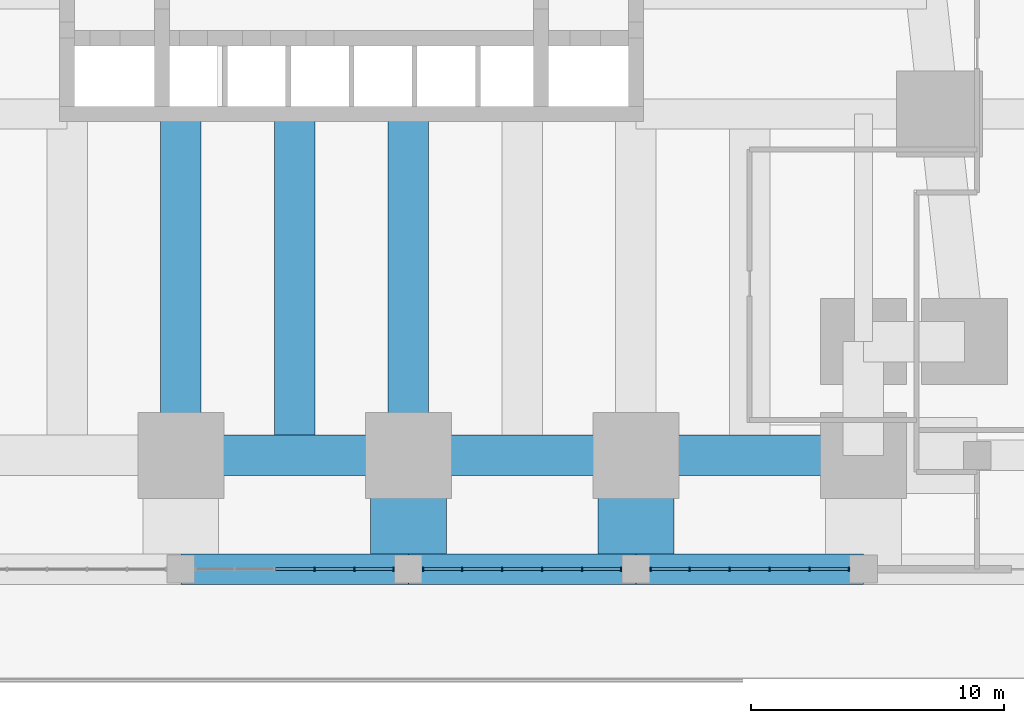
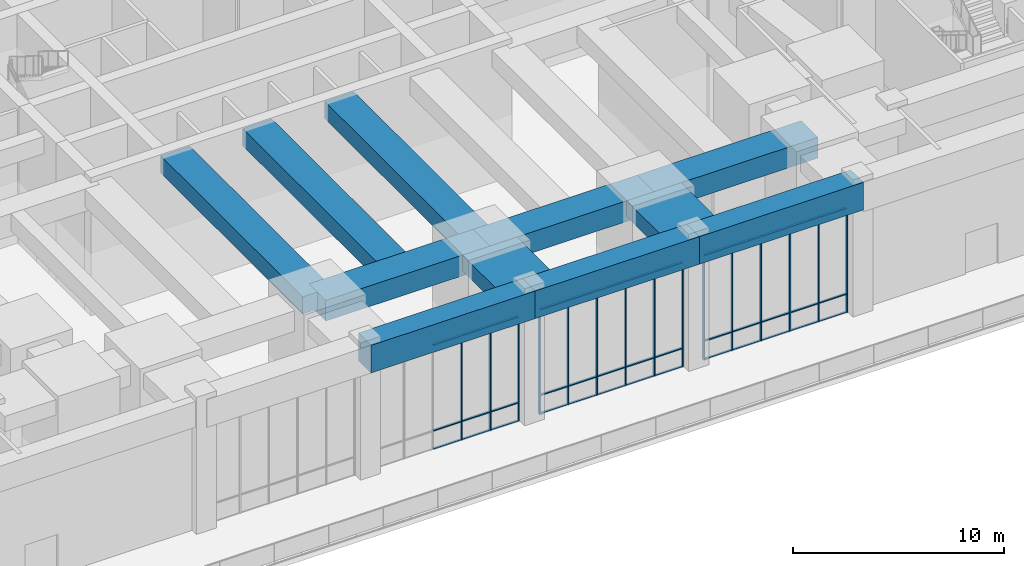
# One storey, part 6 of 26: 54 members, 11 beams, 3 elements without a shape of their own.
"""IFC4 building model written with IfcOpenShell, lengths in metres."""

from ifc_helpers import new_model, si_unit, direction, frame, origin, origin_2d, place, context, subcontext, project, spatial, rectangle, extrude, material, material_profile, profile_set, type_object, element, aggregate, save


model = new_model("IFC4")

# Units and contexts
model_context = context("Model", 3, precision=1e-05, world=origin(), true_north=direction((0.0, 1.0)))
body_context = subcontext(model_context, "Body", "Model", "MODEL_VIEW")
ifc_project = project(units=[si_unit("LENGTHUNIT", "METRE"), si_unit("AREAUNIT", "SQUARE_METRE"), si_unit("VOLUMEUNIT", "CUBIC_METRE"), si_unit("PLANEANGLEUNIT", "RADIAN"), si_unit("MASSUNIT", "GRAM", prefix="KILO")], contexts=[model_context])

# Site, building, storey
site_placement = place(None, origin())
site = spatial("IfcSite", under=ifc_project, at=site_placement, CompositionType="ELEMENT")
building_placement = place(site_placement, origin())
building = spatial("IfcBuilding", under=site, at=building_placement, Name="Kilele Tower Hotel", CompositionType="ELEMENT")
storey_placement = place(building_placement, frame((0.0, 0.0, 11.0)))
storey = spatial("IfcBuildingStorey", under=building, at=storey_placement, Name="L02", CompositionType="ELEMENT", Elevation=11.0)

# Beams
ifc_material_1 = material(Name="Concrete C60/75", Category="concrete")
ifc_material_profile_1 = material_profile(ifc_material_1, rectangle(XDim=1.199951171875, YDim=1.60009765625, at=origin_2d()))
ifc_profile_set_1 = profile_set([ifc_material_profile_1], Name="Concrete C60/75")
beam_type_1 = type_object("IfcBeamType", Name="Beam RC 1200x1600 C60/75", PredefinedType="BEAM", material=ifc_profile_set_1)
for number, where, z_axis, x_axis, name in (
    (1, (18.0, -4.5, 6.89990234375), (1.0, 0.0, 0.0), (0.0, 1.0, 0.0), "Beam PB2 level L03"),
    (2, (27.0, -4.5, 6.89990234375), (1.0, 0.0, 0.0), (0.0, 1.0, 0.0), "Beam PB2 level L03"),
    (3, (36.0, -4.5, 6.89990234375), (1.0, 0.0, 0.0), (0.0, 1.0, 0.0), "Beam PB2 level L03"),
):
    element("IfcBeam", number, at=place(storey_placement, frame(where, z_axis=z_axis, x_axis=x_axis)), inside=storey, type_object=beam_type_1, Name=name, PredefinedType="BEAM", context=body_context, shape_type="SweptSolid", body=[
        extrude(rectangle(XDim=1.199951171875, YDim=1.60009765625, at=origin_2d()), origin(), (0.0, 0.0, 1.0), 9.0),
    ])
ifc_material_2 = material(Name="Concrete C60/75", Category="concrete")
ifc_material_profile_2 = material_profile(ifc_material_2, rectangle(XDim=1.60009765625, YDim=1.0, at=origin_2d()))
ifc_profile_set_2 = profile_set([ifc_material_profile_2], Name="Concrete C60/75")
beam_type_2 = type_object("IfcBeamType", Name="Beam RC 1600x1000 C60/75", PredefinedType="BEAM", material=ifc_profile_set_2)
for number, where, z_axis, x_axis, name in (
    (4, (18.0, 0.0, 7.199951171875), (0.0, 1.0, 0.0), (-1.0, 0.0, 0.0), "Beam BC1 level L03"),
    (5, (22.5, 0.0, 7.199951171875), (0.0, 1.0, 0.0), (-1.0, 0.0, 0.0), "Beam BC1 level L03"),
    (6, (27.0, 0.0, 7.199951171875), (0.0, 1.0, 0.0), (-1.0, 0.0, 0.0), "Beam BC1 level L03"),
):
    element("IfcBeam", number, at=place(storey_placement, frame(where, z_axis=z_axis, x_axis=x_axis)), inside=storey, type_object=beam_type_2, Name=name, PredefinedType="BEAM", context=body_context, shape_type="SweptSolid", body=[
        extrude(rectangle(XDim=1.60009765625, YDim=1.0, at=origin_2d()), origin(), (0.0, 0.0, 1.0), 13.5),
    ])
ifc_material_3 = material(Name="Concrete C60/75", Category="concrete")
ifc_material_profile_3 = material_profile(ifc_material_3, rectangle(XDim=3.0, YDim=0.89990234375, at=origin_2d()))
ifc_profile_set_3 = profile_set([ifc_material_profile_3], Name="Concrete C60/75")
beam_type_3 = type_object("IfcBeamType", Name="Beam RC 3000x900 C60/75", PredefinedType="BEAM", material=ifc_profile_set_3)
for number, where, z_axis, x_axis, name in (
    (7, (27.0, -4.5, 7.25), (0.0, 1.0, 0.0), (-1.0, 0.0, 0.0), "Beam PB1 level L03"),
    (8, (36.0, -4.5, 7.25), (0.0, 1.0, 0.0), (-1.0, 0.0, 0.0), "Beam PB1 level L03"),
):
    element("IfcBeam", number, at=place(storey_placement, frame(where, z_axis=z_axis, x_axis=x_axis)), inside=storey, type_object=beam_type_3, Name=name, PredefinedType="BEAM", context=body_context, shape_type="SweptSolid", body=[
        extrude(rectangle(XDim=3.0, YDim=0.89990234375, at=origin_2d()), origin(), (0.0, 0.0, 1.0), 4.5),
    ])

# Curtain wall, members
ifc_material_4 = material(Name="Aluminium curtain wall, clear double glazing", Category="aluminium")
curtain_wall_type = type_object("IfcCurtainWallType", Name="Podium curtain wall CW-1", PredefinedType="NOTDEFINED", material=ifc_material_4)
curtain_wall_1_placement = place(storey_placement, origin())
curtain_wall_1 = element("IfcCurtainWall", 9, at=curtain_wall_1_placement, inside=storey, type_object=curtain_wall_type, Name="Podium curtain wall CW-1 L02", PredefinedType="NOTDEFINED")
ifc_material_5 = material(Name="Aluminium EN AW-6063 T6", Category="aluminium")
ifc_material_profile_4 = material_profile(ifc_material_5, rectangle(XDim=0.159912109375, YDim=0.06005859375, at=origin_2d()))
ifc_profile_set_4 = profile_set([ifc_material_profile_4], Name="Aluminium EN AW-6063 T6")
member_type_1 = type_object("IfcMemberType", Name="Mullion 60x160 CW-1", PredefinedType="MULLION", material=ifc_profile_set_4)
member_1_placement = place(storey_placement, frame((23.2900390625, -4.5, 0.0), z_axis=(0.0, 0.0, 1.0), x_axis=(0.0, 1.0, 0.0)))
member_1 = element("IfcMember", 10, at=member_1_placement, type_object=member_type_1, Name="CW-1 mullion 4", PredefinedType="MULLION", context=body_context, shape_type="SweptSolid", body=[
    extrude(rectangle(XDim=0.159912109375, YDim=0.06005859375, at=origin_2d()), origin(), (0.0, 0.0, 1.0), 6.10009765625),
])
member_2_placement = place(storey_placement, frame((24.8701171875, -4.5, 0.0), z_axis=(0.0, 0.0, 1.0), x_axis=(0.0, 1.0, 0.0)))
member_2 = element("IfcMember", 11, at=member_2_placement, type_object=member_type_1, Name="CW-1 mullion 5", PredefinedType="MULLION", context=body_context, shape_type="SweptSolid", body=[
    extrude(rectangle(XDim=0.159912109375, YDim=0.06005859375, at=origin_2d()), origin(), (0.0, 0.0, 1.0), 6.10009765625),
])
member_3_placement = place(storey_placement, frame((26.419921875, -4.5, 0.0), z_axis=(0.0, 0.0, 1.0), x_axis=(0.0, 1.0, 0.0)))
member_3 = element("IfcMember", 12, at=member_3_placement, type_object=member_type_1, Name="CW-1 mullion 6", PredefinedType="MULLION", context=body_context, shape_type="SweptSolid", body=[
    extrude(rectangle(XDim=0.159912109375, YDim=0.06005859375, at=origin_2d()), origin(), (0.0, 0.0, 1.0), 6.10009765625),
])

curtain_wall_2_placement = place(storey_placement, origin())
curtain_wall_2 = element("IfcCurtainWall", 13, at=curtain_wall_2_placement, inside=storey, type_object=curtain_wall_type, Name="Podium curtain wall CW-1 L02", PredefinedType="NOTDEFINED")
member_4_placement = place(storey_placement, frame((27.580078125, -4.5, 0.0), z_axis=(0.0, 0.0, 1.0), x_axis=(0.0, 1.0, 0.0)))
member_4 = element("IfcMember", 14, at=member_4_placement, type_object=member_type_1, Name="CW-1 mullion 1", PredefinedType="MULLION", context=body_context, shape_type="SweptSolid", body=[
    extrude(rectangle(XDim=0.159912109375, YDim=0.06005859375, at=origin_2d()), origin(), (0.0, 0.0, 1.0), 6.10009765625),
])
member_5_placement = place(storey_placement, frame((29.1298828125, -4.5, 0.0), z_axis=(0.0, 0.0, 1.0), x_axis=(0.0, 1.0, 0.0)))
member_5 = element("IfcMember", 15, at=member_5_placement, type_object=member_type_1, Name="CW-1 mullion 2", PredefinedType="MULLION", context=body_context, shape_type="SweptSolid", body=[
    extrude(rectangle(XDim=0.159912109375, YDim=0.06005859375, at=origin_2d()), origin(), (0.0, 0.0, 1.0), 6.10009765625),
])
member_6_placement = place(storey_placement, frame((30.7099609375, -4.5, 0.0), z_axis=(0.0, 0.0, 1.0), x_axis=(0.0, 1.0, 0.0)))
member_6 = element("IfcMember", 16, at=member_6_placement, type_object=member_type_1, Name="CW-1 mullion 3", PredefinedType="MULLION", context=body_context, shape_type="SweptSolid", body=[
    extrude(rectangle(XDim=0.159912109375, YDim=0.06005859375, at=origin_2d()), origin(), (0.0, 0.0, 1.0), 6.10009765625),
])
member_7_placement = place(storey_placement, frame((32.2900390625, -4.5, 0.0), z_axis=(0.0, 0.0, 1.0), x_axis=(0.0, 1.0, 0.0)))
member_7 = element("IfcMember", 17, at=member_7_placement, type_object=member_type_1, Name="CW-1 mullion 4", PredefinedType="MULLION", context=body_context, shape_type="SweptSolid", body=[
    extrude(rectangle(XDim=0.159912109375, YDim=0.06005859375, at=origin_2d()), origin(), (0.0, 0.0, 1.0), 6.10009765625),
])
member_8_placement = place(storey_placement, frame((33.8701171875, -4.5, 0.0), z_axis=(0.0, 0.0, 1.0), x_axis=(0.0, 1.0, 0.0)))
member_8 = element("IfcMember", 18, at=member_8_placement, type_object=member_type_1, Name="CW-1 mullion 5", PredefinedType="MULLION", context=body_context, shape_type="SweptSolid", body=[
    extrude(rectangle(XDim=0.159912109375, YDim=0.06005859375, at=origin_2d()), origin(), (0.0, 0.0, 1.0), 6.10009765625),
])
member_9_placement = place(storey_placement, frame((35.419921875, -4.5, 0.0), z_axis=(0.0, 0.0, 1.0), x_axis=(0.0, 1.0, 0.0)))
member_9 = element("IfcMember", 19, at=member_9_placement, type_object=member_type_1, Name="CW-1 mullion 6", PredefinedType="MULLION", context=body_context, shape_type="SweptSolid", body=[
    extrude(rectangle(XDim=0.159912109375, YDim=0.06005859375, at=origin_2d()), origin(), (0.0, 0.0, 1.0), 6.10009765625),
])

curtain_wall_3_placement = place(storey_placement, origin())
curtain_wall_3 = element("IfcCurtainWall", 20, at=curtain_wall_3_placement, inside=storey, type_object=curtain_wall_type, Name="Podium curtain wall CW-1 L02", PredefinedType="NOTDEFINED")
member_10_placement = place(storey_placement, frame((36.580078125, -4.5, 0.0), z_axis=(0.0, 0.0, 1.0), x_axis=(0.0, 1.0, 0.0)))
member_10 = element("IfcMember", 21, at=member_10_placement, type_object=member_type_1, Name="CW-1 mullion 1", PredefinedType="MULLION", context=body_context, shape_type="SweptSolid", body=[
    extrude(rectangle(XDim=0.159912109375, YDim=0.06005859375, at=origin_2d()), origin(), (0.0, 0.0, 1.0), 6.10009765625),
])
member_11_placement = place(storey_placement, frame((38.1298828125, -4.5, 0.0), z_axis=(0.0, 0.0, 1.0), x_axis=(0.0, 1.0, 0.0)))
member_11 = element("IfcMember", 22, at=member_11_placement, type_object=member_type_1, Name="CW-1 mullion 2", PredefinedType="MULLION", context=body_context, shape_type="SweptSolid", body=[
    extrude(rectangle(XDim=0.159912109375, YDim=0.06005859375, at=origin_2d()), origin(), (0.0, 0.0, 1.0), 6.10009765625),
])
member_12_placement = place(storey_placement, frame((39.7099609375, -4.5, 0.0), z_axis=(0.0, 0.0, 1.0), x_axis=(0.0, 1.0, 0.0)))
member_12 = element("IfcMember", 23, at=member_12_placement, type_object=member_type_1, Name="CW-1 mullion 3", PredefinedType="MULLION", context=body_context, shape_type="SweptSolid", body=[
    extrude(rectangle(XDim=0.159912109375, YDim=0.06005859375, at=origin_2d()), origin(), (0.0, 0.0, 1.0), 6.10009765625),
])
member_13_placement = place(storey_placement, frame((41.2900390625, -4.5, 0.0), z_axis=(0.0, 0.0, 1.0), x_axis=(0.0, 1.0, 0.0)))
member_13 = element("IfcMember", 24, at=member_13_placement, type_object=member_type_1, Name="CW-1 mullion 4", PredefinedType="MULLION", context=body_context, shape_type="SweptSolid", body=[
    extrude(rectangle(XDim=0.159912109375, YDim=0.06005859375, at=origin_2d()), origin(), (0.0, 0.0, 1.0), 6.10009765625),
])
member_14_placement = place(storey_placement, frame((42.8701171875, -4.5, 0.0), z_axis=(0.0, 0.0, 1.0), x_axis=(0.0, 1.0, 0.0)))
member_14 = element("IfcMember", 25, at=member_14_placement, type_object=member_type_1, Name="CW-1 mullion 5", PredefinedType="MULLION", context=body_context, shape_type="SweptSolid", body=[
    extrude(rectangle(XDim=0.159912109375, YDim=0.06005859375, at=origin_2d()), origin(), (0.0, 0.0, 1.0), 6.10009765625),
])
member_15_placement = place(storey_placement, frame((44.419921875, -4.5, 0.0), z_axis=(0.0, 0.0, 1.0), x_axis=(0.0, 1.0, 0.0)))
member_15 = element("IfcMember", 26, at=member_15_placement, type_object=member_type_1, Name="CW-1 mullion 6", PredefinedType="MULLION", context=body_context, shape_type="SweptSolid", body=[
    extrude(rectangle(XDim=0.159912109375, YDim=0.06005859375, at=origin_2d()), origin(), (0.0, 0.0, 1.0), 6.10009765625),
])

# Beams
ifc_material_6 = material(Name="Concrete C60/75", Category="concrete")
ifc_material_profile_5 = material_profile(ifc_material_6, rectangle(XDim=1.60009765625, YDim=1.199951171875, at=origin_2d()))
ifc_profile_set_5 = profile_set([ifc_material_profile_5], Name="Concrete C60/75")
beam_type_4 = type_object("IfcBeamType", Name="Spandrel RC 1600x1200 C60/75", PredefinedType="SPANDREL", material=ifc_profile_set_5)
for number, where, z_axis, x_axis, name in (
    (27, (18.0, 0.0, 7.10009765625), (1.0, 0.0, 0.0), (0.0, 1.0, 0.0), "Spandrel SP11 level L03"),
    (28, (27.0, 0.0, 7.10009765625), (1.0, 0.0, 0.0), (0.0, 1.0, 0.0), "Spandrel SP11 level L03"),
    (29, (36.0, 0.0, 7.10009765625), (1.0, 0.0, 0.0), (0.0, 1.0, 0.0), "Spandrel SP11 level L03"),
):
    element("IfcBeam", number, at=place(storey_placement, frame(where, z_axis=z_axis, x_axis=x_axis)), inside=storey, type_object=beam_type_4, Name=name, PredefinedType="SPANDREL", context=body_context, shape_type="SweptSolid", body=[
        extrude(rectangle(XDim=1.60009765625, YDim=1.199951171875, at=origin_2d()), origin(), (0.0, 0.0, 1.0), 9.0),
    ])

# Member
ifc_material_7 = material(Name="Aluminium EN AW-6063 T6", Category="aluminium")
ifc_material_profile_6 = material_profile(ifc_material_7, rectangle(XDim=0.1201171875, YDim=0.06005859375, at=origin_2d()))
ifc_profile_set_6 = profile_set([ifc_material_profile_6], Name="Aluminium EN AW-6063 T6")
member_type_2 = type_object("IfcMemberType", Name="Transom 60x120 CW-1", PredefinedType="USERDEFINED", material=ifc_profile_set_6)
member_16_placement = place(storey_placement, frame((21.739990234375, -4.5, 0.030029296875), z_axis=(1.0, 0.0, 0.0), x_axis=(0.0, 1.0, 0.0)))
member_16 = element("IfcMember", 30, at=member_16_placement, type_object=member_type_2, Name="CW-1 transom 3.1", ObjectType="TRANSOM", PredefinedType="USERDEFINED", context=body_context, shape_type="SweptSolid", body=[
    extrude(rectangle(XDim=0.1201171875, YDim=0.06005859375, at=origin_2d()), origin(), (0.0, 0.0, 1.0), 1.52001953125),
])

member_17_placement = place(storey_placement, frame((21.739990234375, -4.5, 1.10009765625), z_axis=(1.0, 0.0, 0.0), x_axis=(0.0, 1.0, 0.0)))
member_17 = element("IfcMember", 31, at=member_17_placement, type_object=member_type_2, Name="CW-1 transom 3.2", ObjectType="TRANSOM", PredefinedType="USERDEFINED", context=body_context, shape_type="SweptSolid", body=[
    extrude(rectangle(XDim=0.1201171875, YDim=0.06005859375, at=origin_2d()), origin(), (0.0, 0.0, 1.0), 1.52001953125),
])

member_18_placement = place(storey_placement, frame((21.739990234375, -4.5, 6.070068359375), z_axis=(1.0, 0.0, 0.0), x_axis=(0.0, 1.0, 0.0)))
member_18 = element("IfcMember", 32, at=member_18_placement, type_object=member_type_2, Name="CW-1 transom 3.3", ObjectType="TRANSOM", PredefinedType="USERDEFINED", context=body_context, shape_type="SweptSolid", body=[
    extrude(rectangle(XDim=0.1201171875, YDim=0.06005859375, at=origin_2d()), origin(), (0.0, 0.0, 1.0), 1.52001953125),
])

member_19_placement = place(storey_placement, frame((23.320068359375, -4.5, 0.030029296875), z_axis=(1.0, 0.0, 0.0), x_axis=(0.0, 1.0, 0.0)))
member_19 = element("IfcMember", 33, at=member_19_placement, type_object=member_type_2, Name="CW-1 transom 4.1", ObjectType="TRANSOM", PredefinedType="USERDEFINED", context=body_context, shape_type="SweptSolid", body=[
    extrude(rectangle(XDim=0.1201171875, YDim=0.06005859375, at=origin_2d()), origin(), (0.0, 0.0, 1.0), 1.52001953125),
])

member_20_placement = place(storey_placement, frame((23.320068359375, -4.5, 1.10009765625), z_axis=(1.0, 0.0, 0.0), x_axis=(0.0, 1.0, 0.0)))
member_20 = element("IfcMember", 34, at=member_20_placement, type_object=member_type_2, Name="CW-1 transom 4.2", ObjectType="TRANSOM", PredefinedType="USERDEFINED", context=body_context, shape_type="SweptSolid", body=[
    extrude(rectangle(XDim=0.1201171875, YDim=0.06005859375, at=origin_2d()), origin(), (0.0, 0.0, 1.0), 1.52001953125),
])

member_21_placement = place(storey_placement, frame((23.320068359375, -4.5, 6.070068359375), z_axis=(1.0, 0.0, 0.0), x_axis=(0.0, 1.0, 0.0)))
member_21 = element("IfcMember", 35, at=member_21_placement, type_object=member_type_2, Name="CW-1 transom 4.3", ObjectType="TRANSOM", PredefinedType="USERDEFINED", context=body_context, shape_type="SweptSolid", body=[
    extrude(rectangle(XDim=0.1201171875, YDim=0.06005859375, at=origin_2d()), origin(), (0.0, 0.0, 1.0), 1.52001953125),
])

member_22_placement = place(storey_placement, frame((24.89990234375, -4.5, 0.030029296875), z_axis=(1.0, 0.0, 0.0), x_axis=(0.0, 1.0, 0.0)))
member_22 = element("IfcMember", 36, at=member_22_placement, type_object=member_type_2, Name="CW-1 transom 5.1", ObjectType="TRANSOM", PredefinedType="USERDEFINED", context=body_context, shape_type="SweptSolid", body=[
    extrude(rectangle(XDim=0.1201171875, YDim=0.06005859375, at=origin_2d()), origin(), (0.0, 0.0, 1.0), 1.489990234375),
])

member_23_placement = place(storey_placement, frame((24.89990234375, -4.5, 1.10009765625), z_axis=(1.0, 0.0, 0.0), x_axis=(0.0, 1.0, 0.0)))
member_23 = element("IfcMember", 37, at=member_23_placement, type_object=member_type_2, Name="CW-1 transom 5.2", ObjectType="TRANSOM", PredefinedType="USERDEFINED", context=body_context, shape_type="SweptSolid", body=[
    extrude(rectangle(XDim=0.1201171875, YDim=0.06005859375, at=origin_2d()), origin(), (0.0, 0.0, 1.0), 1.489990234375),
])

member_24_placement = place(storey_placement, frame((24.89990234375, -4.5, 6.070068359375), z_axis=(1.0, 0.0, 0.0), x_axis=(0.0, 1.0, 0.0)))
member_24 = element("IfcMember", 38, at=member_24_placement, type_object=member_type_2, Name="CW-1 transom 5.3", ObjectType="TRANSOM", PredefinedType="USERDEFINED", context=body_context, shape_type="SweptSolid", body=[
    extrude(rectangle(XDim=0.1201171875, YDim=0.06005859375, at=origin_2d()), origin(), (0.0, 0.0, 1.0), 1.489990234375),
])

aggregate(curtain_wall_1, [member_1, member_2, member_3, member_16, member_17, member_18, member_19, member_20, member_21, member_22, member_23, member_24])

member_25_placement = place(storey_placement, frame((27.610107421875, -4.5, 0.030029296875), z_axis=(1.0, 0.0, 0.0), x_axis=(0.0, 1.0, 0.0)))
member_25 = element("IfcMember", 39, at=member_25_placement, type_object=member_type_2, Name="CW-1 transom 1.1", ObjectType="TRANSOM", PredefinedType="USERDEFINED", context=body_context, shape_type="SweptSolid", body=[
    extrude(rectangle(XDim=0.1201171875, YDim=0.06005859375, at=origin_2d()), origin(), (0.0, 0.0, 1.0), 1.489990234375),
])

member_26_placement = place(storey_placement, frame((27.610107421875, -4.5, 1.10009765625), z_axis=(1.0, 0.0, 0.0), x_axis=(0.0, 1.0, 0.0)))
member_26 = element("IfcMember", 40, at=member_26_placement, type_object=member_type_2, Name="CW-1 transom 1.2", ObjectType="TRANSOM", PredefinedType="USERDEFINED", context=body_context, shape_type="SweptSolid", body=[
    extrude(rectangle(XDim=0.1201171875, YDim=0.06005859375, at=origin_2d()), origin(), (0.0, 0.0, 1.0), 1.489990234375),
])

member_27_placement = place(storey_placement, frame((27.610107421875, -4.5, 6.070068359375), z_axis=(1.0, 0.0, 0.0), x_axis=(0.0, 1.0, 0.0)))
member_27 = element("IfcMember", 41, at=member_27_placement, type_object=member_type_2, Name="CW-1 transom 1.3", ObjectType="TRANSOM", PredefinedType="USERDEFINED", context=body_context, shape_type="SweptSolid", body=[
    extrude(rectangle(XDim=0.1201171875, YDim=0.06005859375, at=origin_2d()), origin(), (0.0, 0.0, 1.0), 1.489990234375),
])

member_28_placement = place(storey_placement, frame((29.159912109375, -4.5, 0.030029296875), z_axis=(1.0, 0.0, 0.0), x_axis=(0.0, 1.0, 0.0)))
member_28 = element("IfcMember", 42, at=member_28_placement, type_object=member_type_2, Name="CW-1 transom 2.1", ObjectType="TRANSOM", PredefinedType="USERDEFINED", context=body_context, shape_type="SweptSolid", body=[
    extrude(rectangle(XDim=0.1201171875, YDim=0.06005859375, at=origin_2d()), origin(), (0.0, 0.0, 1.0), 1.52001953125),
])

member_29_placement = place(storey_placement, frame((29.159912109375, -4.5, 1.10009765625), z_axis=(1.0, 0.0, 0.0), x_axis=(0.0, 1.0, 0.0)))
member_29 = element("IfcMember", 43, at=member_29_placement, type_object=member_type_2, Name="CW-1 transom 2.2", ObjectType="TRANSOM", PredefinedType="USERDEFINED", context=body_context, shape_type="SweptSolid", body=[
    extrude(rectangle(XDim=0.1201171875, YDim=0.06005859375, at=origin_2d()), origin(), (0.0, 0.0, 1.0), 1.52001953125),
])

member_30_placement = place(storey_placement, frame((29.159912109375, -4.5, 6.070068359375), z_axis=(1.0, 0.0, 0.0), x_axis=(0.0, 1.0, 0.0)))
member_30 = element("IfcMember", 44, at=member_30_placement, type_object=member_type_2, Name="CW-1 transom 2.3", ObjectType="TRANSOM", PredefinedType="USERDEFINED", context=body_context, shape_type="SweptSolid", body=[
    extrude(rectangle(XDim=0.1201171875, YDim=0.06005859375, at=origin_2d()), origin(), (0.0, 0.0, 1.0), 1.52001953125),
])

member_31_placement = place(storey_placement, frame((30.739990234375, -4.5, 0.030029296875), z_axis=(1.0, 0.0, 0.0), x_axis=(0.0, 1.0, 0.0)))
member_31 = element("IfcMember", 45, at=member_31_placement, type_object=member_type_2, Name="CW-1 transom 3.1", ObjectType="TRANSOM", PredefinedType="USERDEFINED", context=body_context, shape_type="SweptSolid", body=[
    extrude(rectangle(XDim=0.1201171875, YDim=0.06005859375, at=origin_2d()), origin(), (0.0, 0.0, 1.0), 1.52001953125),
])

member_32_placement = place(storey_placement, frame((30.739990234375, -4.5, 1.10009765625), z_axis=(1.0, 0.0, 0.0), x_axis=(0.0, 1.0, 0.0)))
member_32 = element("IfcMember", 46, at=member_32_placement, type_object=member_type_2, Name="CW-1 transom 3.2", ObjectType="TRANSOM", PredefinedType="USERDEFINED", context=body_context, shape_type="SweptSolid", body=[
    extrude(rectangle(XDim=0.1201171875, YDim=0.06005859375, at=origin_2d()), origin(), (0.0, 0.0, 1.0), 1.52001953125),
])

member_33_placement = place(storey_placement, frame((30.739990234375, -4.5, 6.070068359375), z_axis=(1.0, 0.0, 0.0), x_axis=(0.0, 1.0, 0.0)))
member_33 = element("IfcMember", 47, at=member_33_placement, type_object=member_type_2, Name="CW-1 transom 3.3", ObjectType="TRANSOM", PredefinedType="USERDEFINED", context=body_context, shape_type="SweptSolid", body=[
    extrude(rectangle(XDim=0.1201171875, YDim=0.06005859375, at=origin_2d()), origin(), (0.0, 0.0, 1.0), 1.52001953125),
])

member_34_placement = place(storey_placement, frame((32.320068359375, -4.5, 0.030029296875), z_axis=(1.0, 0.0, 0.0), x_axis=(0.0, 1.0, 0.0)))
member_34 = element("IfcMember", 48, at=member_34_placement, type_object=member_type_2, Name="CW-1 transom 4.1", ObjectType="TRANSOM", PredefinedType="USERDEFINED", context=body_context, shape_type="SweptSolid", body=[
    extrude(rectangle(XDim=0.1201171875, YDim=0.06005859375, at=origin_2d()), origin(), (0.0, 0.0, 1.0), 1.52001953125),
])

member_35_placement = place(storey_placement, frame((32.320068359375, -4.5, 1.10009765625), z_axis=(1.0, 0.0, 0.0), x_axis=(0.0, 1.0, 0.0)))
member_35 = element("IfcMember", 49, at=member_35_placement, type_object=member_type_2, Name="CW-1 transom 4.2", ObjectType="TRANSOM", PredefinedType="USERDEFINED", context=body_context, shape_type="SweptSolid", body=[
    extrude(rectangle(XDim=0.1201171875, YDim=0.06005859375, at=origin_2d()), origin(), (0.0, 0.0, 1.0), 1.52001953125),
])

member_36_placement = place(storey_placement, frame((32.320068359375, -4.5, 6.070068359375), z_axis=(1.0, 0.0, 0.0), x_axis=(0.0, 1.0, 0.0)))
member_36 = element("IfcMember", 50, at=member_36_placement, type_object=member_type_2, Name="CW-1 transom 4.3", ObjectType="TRANSOM", PredefinedType="USERDEFINED", context=body_context, shape_type="SweptSolid", body=[
    extrude(rectangle(XDim=0.1201171875, YDim=0.06005859375, at=origin_2d()), origin(), (0.0, 0.0, 1.0), 1.52001953125),
])

member_37_placement = place(storey_placement, frame((33.89990234375, -4.5, 0.030029296875), z_axis=(1.0, 0.0, 0.0), x_axis=(0.0, 1.0, 0.0)))
member_37 = element("IfcMember", 51, at=member_37_placement, type_object=member_type_2, Name="CW-1 transom 5.1", ObjectType="TRANSOM", PredefinedType="USERDEFINED", context=body_context, shape_type="SweptSolid", body=[
    extrude(rectangle(XDim=0.1201171875, YDim=0.06005859375, at=origin_2d()), origin(), (0.0, 0.0, 1.0), 1.489990234375),
])

member_38_placement = place(storey_placement, frame((33.89990234375, -4.5, 1.10009765625), z_axis=(1.0, 0.0, 0.0), x_axis=(0.0, 1.0, 0.0)))
member_38 = element("IfcMember", 52, at=member_38_placement, type_object=member_type_2, Name="CW-1 transom 5.2", ObjectType="TRANSOM", PredefinedType="USERDEFINED", context=body_context, shape_type="SweptSolid", body=[
    extrude(rectangle(XDim=0.1201171875, YDim=0.06005859375, at=origin_2d()), origin(), (0.0, 0.0, 1.0), 1.489990234375),
])

member_39_placement = place(storey_placement, frame((33.89990234375, -4.5, 6.070068359375), z_axis=(1.0, 0.0, 0.0), x_axis=(0.0, 1.0, 0.0)))
member_39 = element("IfcMember", 53, at=member_39_placement, type_object=member_type_2, Name="CW-1 transom 5.3", ObjectType="TRANSOM", PredefinedType="USERDEFINED", context=body_context, shape_type="SweptSolid", body=[
    extrude(rectangle(XDim=0.1201171875, YDim=0.06005859375, at=origin_2d()), origin(), (0.0, 0.0, 1.0), 1.489990234375),
])

aggregate(curtain_wall_2, [member_4, member_5, member_6, member_7, member_8, member_9, member_25, member_26, member_27, member_28, member_29, member_30, member_31, member_32, member_33, member_34, member_35, member_36, member_37, member_38, member_39])

member_40_placement = place(storey_placement, frame((36.610107421875, -4.5, 0.030029296875), z_axis=(1.0, 0.0, 0.0), x_axis=(0.0, 1.0, 0.0)))
member_40 = element("IfcMember", 54, at=member_40_placement, type_object=member_type_2, Name="CW-1 transom 1.1", ObjectType="TRANSOM", PredefinedType="USERDEFINED", context=body_context, shape_type="SweptSolid", body=[
    extrude(rectangle(XDim=0.1201171875, YDim=0.06005859375, at=origin_2d()), origin(), (0.0, 0.0, 1.0), 1.489990234375),
])

member_41_placement = place(storey_placement, frame((36.610107421875, -4.5, 1.10009765625), z_axis=(1.0, 0.0, 0.0), x_axis=(0.0, 1.0, 0.0)))
member_41 = element("IfcMember", 55, at=member_41_placement, type_object=member_type_2, Name="CW-1 transom 1.2", ObjectType="TRANSOM", PredefinedType="USERDEFINED", context=body_context, shape_type="SweptSolid", body=[
    extrude(rectangle(XDim=0.1201171875, YDim=0.06005859375, at=origin_2d()), origin(), (0.0, 0.0, 1.0), 1.489990234375),
])

member_42_placement = place(storey_placement, frame((36.610107421875, -4.5, 6.070068359375), z_axis=(1.0, 0.0, 0.0), x_axis=(0.0, 1.0, 0.0)))
member_42 = element("IfcMember", 56, at=member_42_placement, type_object=member_type_2, Name="CW-1 transom 1.3", ObjectType="TRANSOM", PredefinedType="USERDEFINED", context=body_context, shape_type="SweptSolid", body=[
    extrude(rectangle(XDim=0.1201171875, YDim=0.06005859375, at=origin_2d()), origin(), (0.0, 0.0, 1.0), 1.489990234375),
])

member_43_placement = place(storey_placement, frame((38.159912109375, -4.5, 0.030029296875), z_axis=(1.0, 0.0, 0.0), x_axis=(0.0, 1.0, 0.0)))
member_43 = element("IfcMember", 57, at=member_43_placement, type_object=member_type_2, Name="CW-1 transom 2.1", ObjectType="TRANSOM", PredefinedType="USERDEFINED", context=body_context, shape_type="SweptSolid", body=[
    extrude(rectangle(XDim=0.1201171875, YDim=0.06005859375, at=origin_2d()), origin(), (0.0, 0.0, 1.0), 1.52001953125),
])

member_44_placement = place(storey_placement, frame((38.159912109375, -4.5, 1.10009765625), z_axis=(1.0, 0.0, 0.0), x_axis=(0.0, 1.0, 0.0)))
member_44 = element("IfcMember", 58, at=member_44_placement, type_object=member_type_2, Name="CW-1 transom 2.2", ObjectType="TRANSOM", PredefinedType="USERDEFINED", context=body_context, shape_type="SweptSolid", body=[
    extrude(rectangle(XDim=0.1201171875, YDim=0.06005859375, at=origin_2d()), origin(), (0.0, 0.0, 1.0), 1.52001953125),
])

member_45_placement = place(storey_placement, frame((38.159912109375, -4.5, 6.070068359375), z_axis=(1.0, 0.0, 0.0), x_axis=(0.0, 1.0, 0.0)))
member_45 = element("IfcMember", 59, at=member_45_placement, type_object=member_type_2, Name="CW-1 transom 2.3", ObjectType="TRANSOM", PredefinedType="USERDEFINED", context=body_context, shape_type="SweptSolid", body=[
    extrude(rectangle(XDim=0.1201171875, YDim=0.06005859375, at=origin_2d()), origin(), (0.0, 0.0, 1.0), 1.52001953125),
])

member_46_placement = place(storey_placement, frame((39.739990234375, -4.5, 0.030029296875), z_axis=(1.0, 0.0, 0.0), x_axis=(0.0, 1.0, 0.0)))
member_46 = element("IfcMember", 60, at=member_46_placement, type_object=member_type_2, Name="CW-1 transom 3.1", ObjectType="TRANSOM", PredefinedType="USERDEFINED", context=body_context, shape_type="SweptSolid", body=[
    extrude(rectangle(XDim=0.1201171875, YDim=0.06005859375, at=origin_2d()), origin(), (0.0, 0.0, 1.0), 1.52001953125),
])

member_47_placement = place(storey_placement, frame((39.739990234375, -4.5, 1.10009765625), z_axis=(1.0, 0.0, 0.0), x_axis=(0.0, 1.0, 0.0)))
member_47 = element("IfcMember", 61, at=member_47_placement, type_object=member_type_2, Name="CW-1 transom 3.2", ObjectType="TRANSOM", PredefinedType="USERDEFINED", context=body_context, shape_type="SweptSolid", body=[
    extrude(rectangle(XDim=0.1201171875, YDim=0.06005859375, at=origin_2d()), origin(), (0.0, 0.0, 1.0), 1.52001953125),
])

member_48_placement = place(storey_placement, frame((39.739990234375, -4.5, 6.070068359375), z_axis=(1.0, 0.0, 0.0), x_axis=(0.0, 1.0, 0.0)))
member_48 = element("IfcMember", 62, at=member_48_placement, type_object=member_type_2, Name="CW-1 transom 3.3", ObjectType="TRANSOM", PredefinedType="USERDEFINED", context=body_context, shape_type="SweptSolid", body=[
    extrude(rectangle(XDim=0.1201171875, YDim=0.06005859375, at=origin_2d()), origin(), (0.0, 0.0, 1.0), 1.52001953125),
])

member_49_placement = place(storey_placement, frame((41.320068359375, -4.5, 0.030029296875), z_axis=(1.0, 0.0, 0.0), x_axis=(0.0, 1.0, 0.0)))
member_49 = element("IfcMember", 63, at=member_49_placement, type_object=member_type_2, Name="CW-1 transom 4.1", ObjectType="TRANSOM", PredefinedType="USERDEFINED", context=body_context, shape_type="SweptSolid", body=[
    extrude(rectangle(XDim=0.1201171875, YDim=0.06005859375, at=origin_2d()), origin(), (0.0, 0.0, 1.0), 1.52001953125),
])

member_50_placement = place(storey_placement, frame((41.320068359375, -4.5, 1.10009765625), z_axis=(1.0, 0.0, 0.0), x_axis=(0.0, 1.0, 0.0)))
member_50 = element("IfcMember", 64, at=member_50_placement, type_object=member_type_2, Name="CW-1 transom 4.2", ObjectType="TRANSOM", PredefinedType="USERDEFINED", context=body_context, shape_type="SweptSolid", body=[
    extrude(rectangle(XDim=0.1201171875, YDim=0.06005859375, at=origin_2d()), origin(), (0.0, 0.0, 1.0), 1.52001953125),
])

member_51_placement = place(storey_placement, frame((41.320068359375, -4.5, 6.070068359375), z_axis=(1.0, 0.0, 0.0), x_axis=(0.0, 1.0, 0.0)))
member_51 = element("IfcMember", 65, at=member_51_placement, type_object=member_type_2, Name="CW-1 transom 4.3", ObjectType="TRANSOM", PredefinedType="USERDEFINED", context=body_context, shape_type="SweptSolid", body=[
    extrude(rectangle(XDim=0.1201171875, YDim=0.06005859375, at=origin_2d()), origin(), (0.0, 0.0, 1.0), 1.52001953125),
])

member_52_placement = place(storey_placement, frame((42.89990234375, -4.5, 0.030029296875), z_axis=(1.0, 0.0, 0.0), x_axis=(0.0, 1.0, 0.0)))
member_52 = element("IfcMember", 66, at=member_52_placement, type_object=member_type_2, Name="CW-1 transom 5.1", ObjectType="TRANSOM", PredefinedType="USERDEFINED", context=body_context, shape_type="SweptSolid", body=[
    extrude(rectangle(XDim=0.1201171875, YDim=0.06005859375, at=origin_2d()), origin(), (0.0, 0.0, 1.0), 1.489990234375),
])

member_53_placement = place(storey_placement, frame((42.89990234375, -4.5, 1.10009765625), z_axis=(1.0, 0.0, 0.0), x_axis=(0.0, 1.0, 0.0)))
member_53 = element("IfcMember", 67, at=member_53_placement, type_object=member_type_2, Name="CW-1 transom 5.2", ObjectType="TRANSOM", PredefinedType="USERDEFINED", context=body_context, shape_type="SweptSolid", body=[
    extrude(rectangle(XDim=0.1201171875, YDim=0.06005859375, at=origin_2d()), origin(), (0.0, 0.0, 1.0), 1.489990234375),
])

member_54_placement = place(storey_placement, frame((42.89990234375, -4.5, 6.070068359375), z_axis=(1.0, 0.0, 0.0), x_axis=(0.0, 1.0, 0.0)))
member_54 = element("IfcMember", 68, at=member_54_placement, type_object=member_type_2, Name="CW-1 transom 5.3", ObjectType="TRANSOM", PredefinedType="USERDEFINED", context=body_context, shape_type="SweptSolid", body=[
    extrude(rectangle(XDim=0.1201171875, YDim=0.06005859375, at=origin_2d()), origin(), (0.0, 0.0, 1.0), 1.489990234375),
])

aggregate(curtain_wall_3, [member_10, member_11, member_12, member_13, member_14, member_15, member_40, member_41, member_42, member_43, member_44, member_45, member_46, member_47, member_48, member_49, member_50, member_51, member_52, member_53, member_54])

save(model, "model.ifc")
